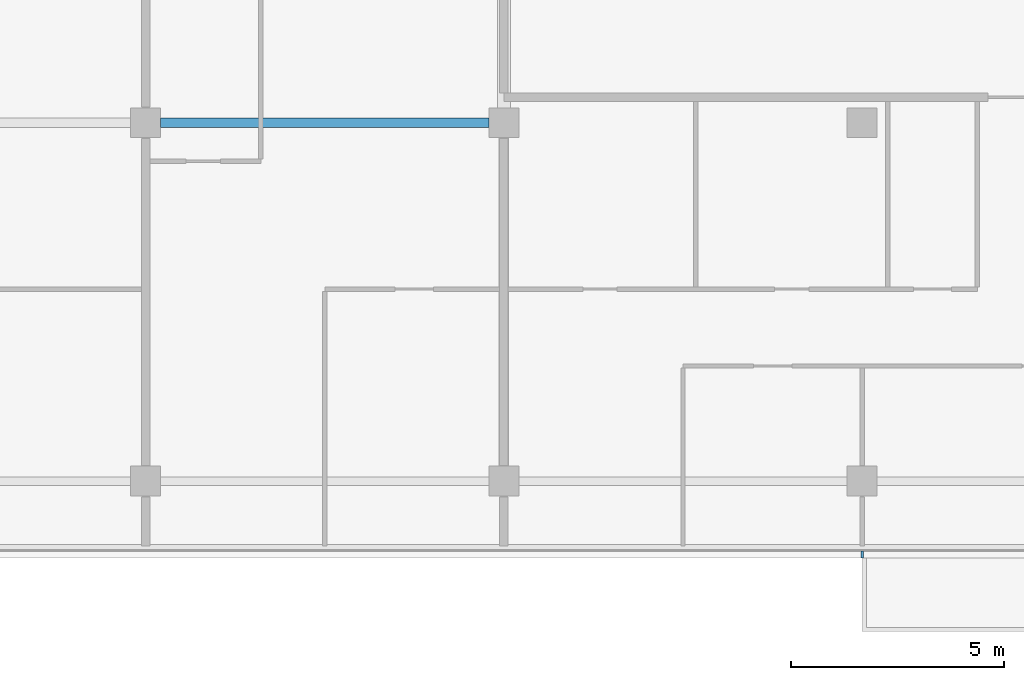
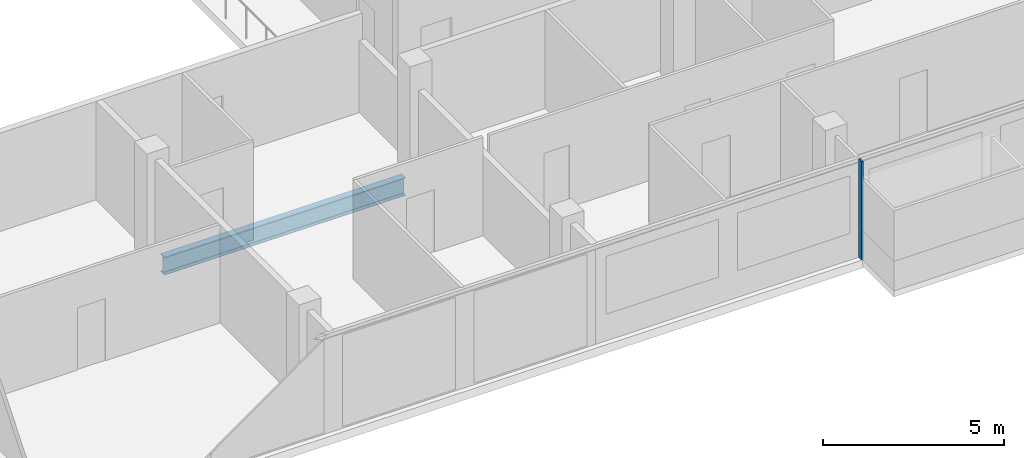
# One storey, part 6 of 30: 1 beam, 1 member, 1 element without a shape of its own.
"""IFC4 building model written with IfcOpenShell, lengths in metres."""

from ifc_helpers import new_model, si_unit, direction, frame, origin, origin_2d, place, context, subcontext, project, spatial, rectangle, i_section, extrude, material, material_profile, profile_set, type_object, element, aggregate, save


model = new_model("IFC4")

# Units and contexts
model_context = context("Model", 3, precision=1e-05, world=origin(), true_north=direction((0.0, 1.0)))
body_context = subcontext(model_context, "Body", "Model", "MODEL_VIEW")
ifc_project = project(units=[si_unit("LENGTHUNIT", "METRE"), si_unit("AREAUNIT", "SQUARE_METRE"), si_unit("VOLUMEUNIT", "CUBIC_METRE"), si_unit("PLANEANGLEUNIT", "RADIAN"), si_unit("MASSUNIT", "GRAM", prefix="KILO")], contexts=[model_context])

# Site, building, storey
site_placement = place(None, origin())
site = spatial("IfcSite", under=ifc_project, at=site_placement, CompositionType="ELEMENT")
building_placement = place(site_placement, origin())
building = spatial("IfcBuilding", under=site, at=building_placement, Name="Saffron Gate Tower", CompositionType="ELEMENT")
storey_placement = place(building_placement, frame((0.0, 0.0, 169.050048828125)))
storey = spatial("IfcBuildingStorey", under=building, at=storey_placement, Name="L41", CompositionType="ELEMENT", Elevation=169.050048828125)

# Beam
ifc_material_1 = material(Name="Structural steel S355", Category="steel")
ifc_material_profile_1 = material_profile(ifc_material_1, i_section(OverallWidth=0.219970703125, OverallDepth=0.60009765625, WebThickness=0.011962890625, FlangeThickness=0.01904296875, FilletRadius=0.02392578125, at=origin_2d()))
ifc_profile_set_1 = profile_set([ifc_material_profile_1], Name="Structural steel S355")
beam_type = type_object("IfcBeamType", Name="B15 IPE 600", PredefinedType="BEAM", material=ifc_profile_set_1)
beam_placement = place(storey_placement, frame((92.14990234375, 40.199951171875, -0.580078125), z_axis=(1.0, 0.0, 0.0), x_axis=(0.0, 1.0, 0.0)))
element("IfcBeam", 1, at=beam_placement, inside=storey, type_object=beam_type, Name="B15 FLOOR GIRDER", PredefinedType="BEAM", context=body_context, shape_type="SweptSolid", body=[
    extrude(i_section(OverallWidth=0.219970703125, OverallDepth=0.60009765625, WebThickness=0.011962890625, FlangeThickness=0.01904296875, FilletRadius=0.02392578125, at=origin_2d()), origin(), (0.0, 0.0, 1.0), 7.7001953125),
])

# Curtain wall, member
ifc_material_2 = material(Name="Aluminium, bronze anodised", Category="aluminium")
curtain_wall_type = type_object("IfcCurtainWallType", Name="CWS1 curtain wall front facade", PredefinedType="NOTDEFINED", material=ifc_material_2)
curtain_wall_placement = place(storey_placement, origin())
curtain_wall = element("IfcCurtainWall", 2, at=curtain_wall_placement, inside=storey, type_object=curtain_wall_type, Name="CWS1 run 1", PredefinedType="NOTDEFINED")
ifc_material_profile_2 = material_profile(ifc_material_2, rectangle(XDim=0.159912109375, YDim=0.06005859375, at=origin_2d()))
ifc_profile_set_2 = profile_set([ifc_material_profile_2], Name="Aluminium, bronze anodised")
member_type = type_object("IfcMemberType", Name="CWS1 mullion 60x160", PredefinedType="MULLION", material=ifc_profile_set_2)
member_placement = place(storey_placement, frame((108.60009765625, 30.080078125, 0.0), z_axis=(0.0, 0.0, 1.0), x_axis=(0.0, 1.0, 0.0)))
member = element("IfcMember", 3, at=member_placement, type_object=member_type, Name="CWS1 mullion 8", PredefinedType="MULLION", context=body_context, shape_type="SweptSolid", body=[
    extrude(rectangle(XDim=0.159912109375, YDim=0.06005859375, at=origin_2d()), origin(), (0.0, 0.0, 1.0), 3.320068359375),
])
aggregate(curtain_wall, [member])

save(model, "model.ifc")
